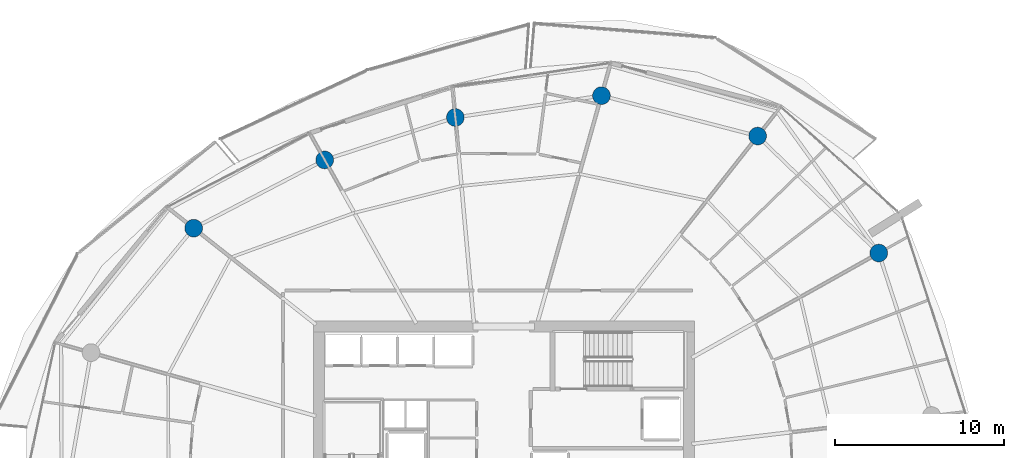
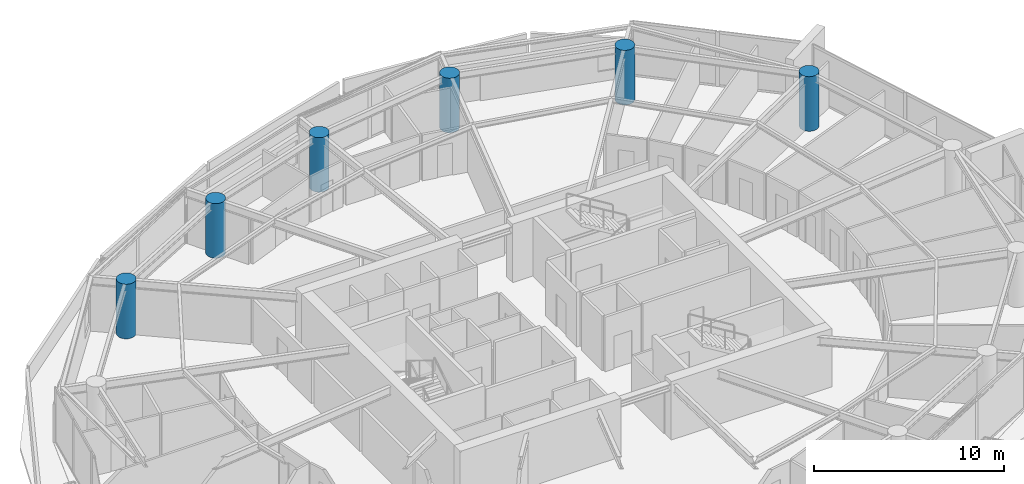
# One storey, part 4 of 21: 6 columns.
"""IFC4 building model written with IfcOpenShell, lengths in metres."""

from ifc_helpers import new_model, si_unit, direction, frame, origin, origin_2d, place, context, subcontext, project, spatial, circle, extrude, material, material_profile, profile_set, type_object, element, save


model = new_model("IFC4")

# Units and contexts
model_context = context("Model", 3, precision=1e-05, world=origin(), true_north=direction((0.0, 1.0)))
body_context = subcontext(model_context, "Body", "Model", "MODEL_VIEW")
ifc_project = project(units=[si_unit("LENGTHUNIT", "METRE"), si_unit("AREAUNIT", "SQUARE_METRE"), si_unit("VOLUMEUNIT", "CUBIC_METRE"), si_unit("PLANEANGLEUNIT", "RADIAN"), si_unit("MASSUNIT", "GRAM", prefix="KILO")], contexts=[model_context])

# Site, building, storey
site_placement = place(None, origin())
site = spatial("IfcSite", under=ifc_project, at=site_placement, CompositionType="ELEMENT")
building_placement = place(site_placement, origin())
building = spatial("IfcBuilding", under=site, at=building_placement, Name="Kazma Halo Residences", CompositionType="ELEMENT")
storey_placement = place(building_placement, frame((0.0, 0.0, 187.800048828125)))
storey = spatial("IfcBuildingStorey", under=building, at=storey_placement, Name="L47", CompositionType="ELEMENT", Elevation=187.800048828125)

# Columns
ifc_material = material(Name="Concrete C80/95", Category="concrete")
ifc_material_profile = material_profile(ifc_material, circle(Radius=0.52490234375, at=origin_2d()), Name="CIRC1050")
ifc_profile_set = profile_set([ifc_material_profile], Name="Concrete C80/95")
column_type = type_object("IfcColumnType", Name="COL-PERIM-1050", PredefinedType="COLUMN", material=ifc_profile_set)
for number, where, z_axis, x_axis, name in (
    (1, (70.625, 54.670654296875, 0.0), (0.0, 0.0, 1.0), (1.0, 0.0, 0.0), "L47 perimeter ring column P01"),
    (2, (63.45068359375, 61.598876953125, 0.0), (0.0, 0.0, 1.0), (1.0, 0.0, 0.0), "L47 perimeter ring column P02"),
    (3, (54.202392578125, 63.99169921875, 0.0), (0.0, 0.0, 1.0), (1.0, 0.0, 0.0), "L47 perimeter ring column P03"),
    (4, (45.550048828125, 62.69970703125, 0.0), (0.0, 0.0, 1.0), (1.0, 0.0, 0.0), "L47 perimeter ring column P04"),
    (5, (37.815185546875, 60.186279296875, 0.0), (0.0, 0.0, 1.0), (1.0, 0.0, 0.0), "L47 perimeter ring column P05"),
    (6, (30.055908203125, 56.14599609375, 0.0), (0.0, 0.0, 1.0), (1.0, 0.0, 0.0), "L47 perimeter ring column P06"),
):
    element("IfcColumn", number, at=place(storey_placement, frame(where, z_axis=z_axis, x_axis=x_axis)), inside=storey, type_object=column_type, Name=name, PredefinedType="COLUMN", context=body_context, shape_type="SweptSolid", body=[
        extrude(circle(Radius=0.52490234375, at=origin_2d()), origin(), (0.0, 0.0, 1.0), 3.5),
    ])

save(model, "model.ifc")
